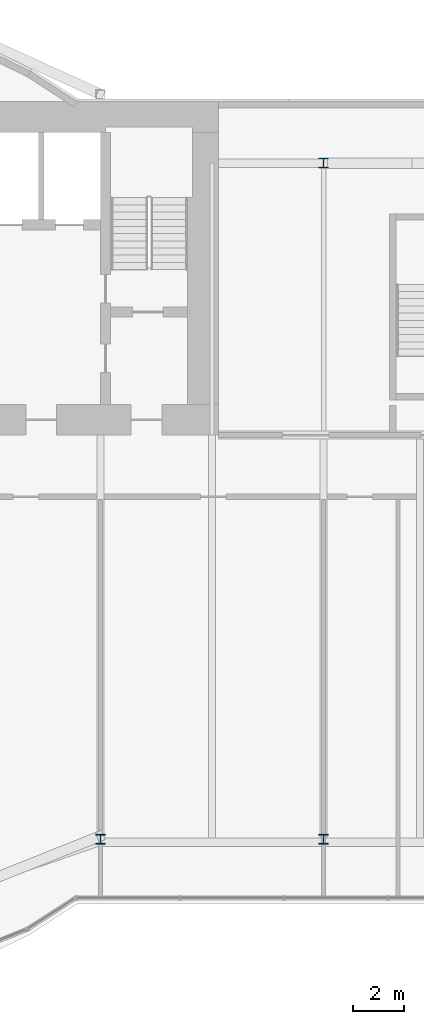
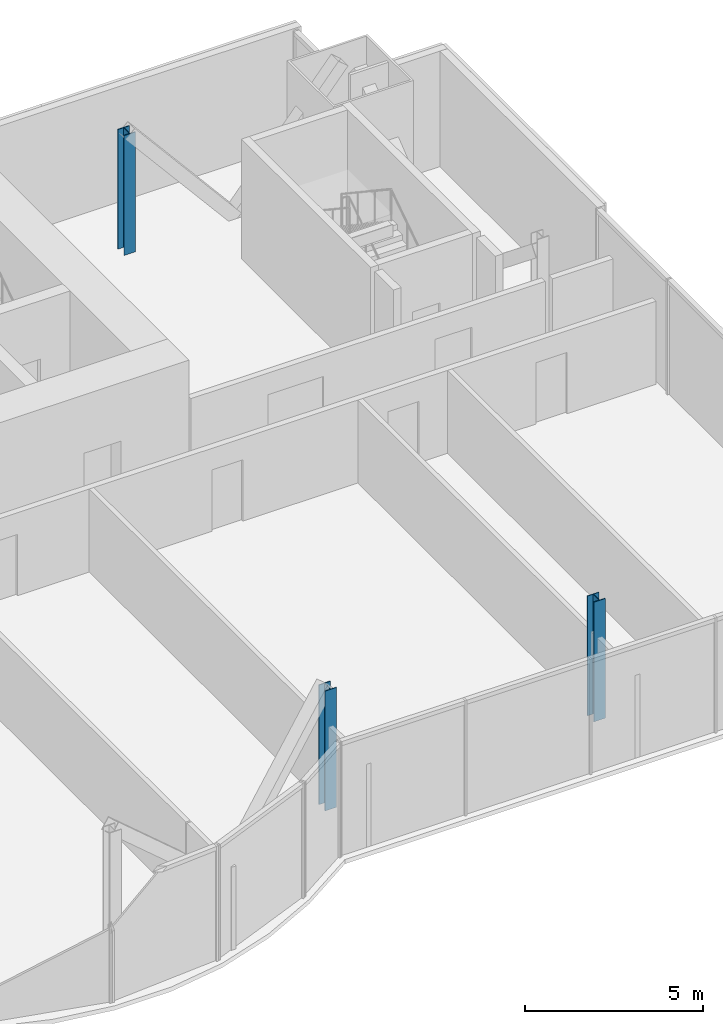
# One storey, part 2 of 20: 3 columns.
"""IFC4 building model written with IfcOpenShell, lengths in metres."""

import ifcopenshell
import ifcopenshell.guid

model = None  # the IFC model being written
_history = None  # IfcOwnerHistory: only IFC2X3 demands one
_inside = {}  # id of a spatial element -> (the spatial element, [elements in it])
_under = {}  # id of a project, library or spatial element -> (it, [spatial elements below it])
_declared = {}  # id of a project -> (the project, [libraries it declares])
_typed = {}  # id of a type object -> (the type object, [elements of that type])
_made_of = {}  # id of a material, layer set ... -> (it, [elements and type objects made of it])


def new_model(schema):
    """Start an empty IFC model of exactly this schema.

    Asked for "IFC4X3", IfcOpenShell would pick the latest addendum, in which some entities
    have other attributes; the version numbers below select the first issue.
    IFC2X3 requires an IfcOwnerHistory on every rooted entity: one is made here for all.
    """
    global model, _history
    if schema == "IFC4X3":
        model = ifcopenshell.file(schema_version=(4, 3, 0, 0))
    else:
        model = ifcopenshell.file(schema=schema)
    _inside.clear()
    _under.clear()
    _declared.clear()
    _typed.clear()
    _made_of.clear()
    _history = None
    if model.schema == "IFC2X3":
        org = make("IfcOrganization", Name="unknown")
        user = make(
            "IfcPersonAndOrganization",
            ThePerson=make("IfcPerson", FamilyName="unknown"),
            TheOrganization=org,
        )
        app = make(
            "IfcApplication",
            ApplicationDeveloper=org,
            Version="unknown",
            ApplicationFullName="unknown",
            ApplicationIdentifier="unknown",
        )
        _history = make(
            "IfcOwnerHistory",
            OwningUser=user,
            OwningApplication=app,
            ChangeAction="ADDED",
            CreationDate=0,
        )
    return model


def make(cls, **values):
    """One entity of the class cls with the attributes given. An attribute that is None is left unset."""
    return model.create_entity(
        cls, **{name: value for name, value in values.items() if value is not None}
    )


def rooted(cls, **values):
    """An entity with a GlobalId (a new one), such as an element, a storey or a relation."""
    return make(cls, GlobalId=ifcopenshell.guid.new(), OwnerHistory=_history, **values)


def si_unit(unit_type, name, prefix=None):
    """IfcSIUnit, for example si_unit("LENGTHUNIT", "METRE", prefix="MILLI")."""
    return make("IfcSIUnit", UnitType=unit_type, Prefix=prefix, Name=name)


def assignment(units):
    """IfcUnitAssignment: the units of a project."""
    return None if units is None else make("IfcUnitAssignment", Units=units)


def point(xyz):
    """IfcCartesianPoint."""
    return None if xyz is None else make("IfcCartesianPoint", Coordinates=xyz)


def direction(xyz):
    """IfcDirection."""
    return None if xyz is None else make("IfcDirection", DirectionRatios=xyz)


def frame(location, z_axis=None, x_axis=None):
    """IfcAxis2Placement3D, a coordinate frame: its origin and axes. An axis left out is left unset."""
    return make(
        "IfcAxis2Placement3D",
        Location=point(location),
        Axis=direction(z_axis),
        RefDirection=direction(x_axis),
    )


def frame_2d(location, x_axis=None):
    """IfcAxis2Placement2D, a coordinate frame in the plane: its origin and x axis."""
    return make(
        "IfcAxis2Placement2D", Location=point(location), RefDirection=direction(x_axis)
    )


def origin():
    """The frame at (0, 0, 0) with its axes left unset."""
    return frame((0.0, 0.0, 0.0))


def origin_2d():
    """The frame at (0, 0) in the plane with its x axis left unset."""
    return frame_2d((0.0, 0.0))


def place(relative_to, where):
    """IfcLocalPlacement: puts the frame where relative to a parent placement (None: the world)."""
    return make(
        "IfcLocalPlacement", PlacementRelTo=relative_to, RelativePlacement=where
    )


def context(
    kind, dimensions, precision=None, world=None, true_north=None, identifier=None
):
    """IfcGeometricRepresentationContext, for example the 3D "Model" context."""
    return make(
        "IfcGeometricRepresentationContext",
        ContextIdentifier=identifier,
        ContextType=kind,
        CoordinateSpaceDimension=dimensions,
        Precision=precision,
        WorldCoordinateSystem=world,
        TrueNorth=true_north,
    )


def subcontext(parent, identifier, kind, view, scale=None):
    """IfcGeometricRepresentationSubContext, for example "Body" below "Model"."""
    return make(
        "IfcGeometricRepresentationSubContext",
        ContextIdentifier=identifier,
        ContextType=kind,
        ParentContext=parent,
        TargetScale=scale,
        TargetView=view,
    )


def project(units=None, contexts=None):
    """IfcProject with its units and contexts."""
    return rooted(
        "IfcProject",
        Name="project",
        RepresentationContexts=contexts,
        UnitsInContext=assignment(units),
    )


def spatial(cls, under=None, at=None, **own):
    """A site, building, storey or space (cls), placed at a placement, below another one or the project."""
    s = rooted(cls, ObjectPlacement=at, **own)
    if under is not None:
        _under.setdefault(under.id(), (under, []))[1].append(s)
    return s


def profile(cls, at=None, kind="AREA", **sizes):
    """A parametric profile (cls). Its sizes go by their IFC names, for example OverallWidth=200.0."""
    return make(cls, ProfileType=kind, Position=at, **sizes)


def i_section(**sizes):
    """IfcIShapeProfileDef."""
    return profile("IfcIShapeProfileDef", **sizes)


def extrude(swept, where, along, depth):
    """IfcExtrudedAreaSolid: the profile swept, set in the frame where, extruded along a direction by depth."""
    return make(
        "IfcExtrudedAreaSolid",
        SweptArea=swept,
        Position=where,
        ExtrudedDirection=direction(along),
        Depth=depth,
    )


def shape(context_of_items, identifier, shape_type, items):
    """IfcShapeRepresentation: the items that make up one representation, for example the "Body"."""
    return make(
        "IfcShapeRepresentation",
        ContextOfItems=context_of_items,
        RepresentationIdentifier=identifier,
        RepresentationType=shape_type,
        Items=items,
    )


def material(Name=None, Category=None):
    """IfcMaterial."""
    return make("IfcMaterial", Name=Name, Category=Category)


def material_profile(
    of_material, cross_section, Name=None, Category=None, Priority=None
):
    """IfcMaterialProfile: a cross section and its material."""
    return make(
        "IfcMaterialProfile",
        Name=Name,
        Material=of_material,
        Profile=cross_section,
        Priority=Priority,
        Category=Category,
    )


def profile_set(profiles, Name=None, composite=None):
    """IfcMaterialProfileSet."""
    return make(
        "IfcMaterialProfileSet",
        Name=Name,
        MaterialProfiles=profiles,
        CompositeProfile=composite,
    )


def made_of(thing, what):
    """Note that an element or type object is made of a material, layer set ...; save() writes the relation."""
    if what is not None:
        _made_of.setdefault(what.id(), (what, []))[1].append(thing)
    return thing


def type_object(cls, material=None, **own):
    """A type object (cls), such as IfcWallType, which elements share."""
    return made_of(rooted(cls, **own), material)


def element(
    cls,
    number,
    at=None,
    inside=None,
    cuts=None,
    type_object=None,
    material=None,
    context=None,
    identifier="Body",
    shape_type=None,
    held_by="IfcProductDefinitionShape",
    body=None,
    shapes=None,
    **own,
):
    """One element of the class cls, such as IfcWall. Its Tag is "e" and its number.

    at: its placement. inside: the storey or other place that contains it. cuts: it is an
    opening in that element (IfcRelVoidsElement). A single representation is given by context,
    identifier, shape_type and body (its items); several are given by shapes. held_by: the class
    of the entity that holds the representations. save() writes the other relations.
    """
    e = rooted(cls, Tag="e%d" % number, ObjectPlacement=at, **own)
    if body is not None:
        shapes = [shape(context, identifier, shape_type, body)]
    if shapes is not None:
        e.Representation = make(held_by, Representations=shapes)
    if inside is not None:
        _inside.setdefault(inside.id(), (inside, []))[1].append(e)
    if cuts is not None:
        rooted(
            "IfcRelVoidsElement", RelatingBuildingElement=cuts, RelatedOpeningElement=e
        )
    if type_object is not None:
        _typed.setdefault(type_object.id(), (type_object, []))[1].append(e)
    return made_of(e, material)


def aggregate(whole, parts):
    """IfcRelAggregates: a whole, such as a stair, and the parts it consists of."""
    return rooted("IfcRelAggregates", RelatingObject=whole, RelatedObjects=parts)


def save(model, path):
    """Write the relations noted so far, then the file.

    IfcRelAggregates (storeys below a building ...), IfcRelContainedInSpatialStructure (elements
    in a storey), IfcRelDefinesByType, IfcRelAssociatesMaterial and IfcRelDeclares: one each for
    every whole, place, type object, material and project.
    """
    for whole, parts in _under.values():
        aggregate(whole, parts)
    for where, things in _inside.values():
        rooted(
            "IfcRelContainedInSpatialStructure",
            RelatedElements=things,
            RelatingStructure=where,
        )
    for kind, things in _typed.values():
        rooted("IfcRelDefinesByType", RelatedObjects=things, RelatingType=kind)
    for what, things in _made_of.values():
        rooted("IfcRelAssociatesMaterial", RelatedObjects=things, RelatingMaterial=what)
    for by, libraries in _declared.values():
        rooted("IfcRelDeclares", RelatingContext=by, RelatedDefinitions=libraries)
    model.write(path)


model = new_model("IFC4")

# Units and contexts
model_context = context("Model", 3, precision=1e-05, world=origin(), true_north=direction((0.0, 1.0)))
body_context = subcontext(model_context, "Body", "Model", "MODEL_VIEW")
ifc_project = project(units=[si_unit("LENGTHUNIT", "METRE"), si_unit("AREAUNIT", "SQUARE_METRE"), si_unit("VOLUMEUNIT", "CUBIC_METRE"), si_unit("PLANEANGLEUNIT", "RADIAN"), si_unit("MASSUNIT", "GRAM", prefix="KILO")], contexts=[model_context])

# Site, building, storey
site_placement = place(None, origin())
site = spatial("IfcSite", under=ifc_project, at=site_placement, CompositionType="ELEMENT")
building_placement = place(site_placement, origin())
building = spatial("IfcBuilding", under=site, at=building_placement, Name="Bicima Exchange Tower", CompositionType="ELEMENT")
storey_placement = place(building_placement, frame((0.0, 0.0, 223.699951171875)))
storey = spatial("IfcBuildingStorey", under=building, at=storey_placement, Name="L50", CompositionType="ELEMENT", Elevation=223.699951171875)

# Columns
ifc_material = material(Name="Steel ASTM A992 Gr 50", Category="steel")
ifc_material_profile = material_profile(ifc_material, i_section(OverallWidth=0.373291015625, OverallDepth=0.373291015625, WebThickness=0.016357421875, FlangeThickness=0.026123046875, at=origin_2d()))
ifc_profile_set = profile_set([ifc_material_profile], Name="Steel ASTM A992 Gr 50")
column_type = type_object("IfcColumnType", Name="Perimeter column W14x132", PredefinedType="COLUMN", material=ifc_profile_set)
for number, where, z_axis, x_axis, name in (
    (1, (17.39990234375, -28.741943359375, 0.0), (0.0, 0.0, 1.0), (1.0, 0.0, 0.0), "Perimeter column grav+17.4f"),
    (2, (26.10009765625, -28.741943359375, 0.0), (0.0, 0.0, 1.0), (1.0, 0.0, 0.0), "Perimeter column grav+26.1f"),
    (3, (26.10009765625, -2.39990234375, 0.0), (0.0, 0.0, 1.0), (1.0, 0.0, 0.0), "Perimeter column grav+26.1r"),
):
    element("IfcColumn", number, at=place(storey_placement, frame(where, z_axis=z_axis, x_axis=x_axis)), inside=storey, type_object=column_type, Name=name, PredefinedType="COLUMN", context=body_context, shape_type="SweptSolid", body=[
        extrude(i_section(OverallWidth=0.373291015625, OverallDepth=0.373291015625, WebThickness=0.016357421875, FlangeThickness=0.026123046875, at=origin_2d()), origin(), (0.0, 0.0, 1.0), 4.10009765625),
    ])

save(model, "model.ifc")
